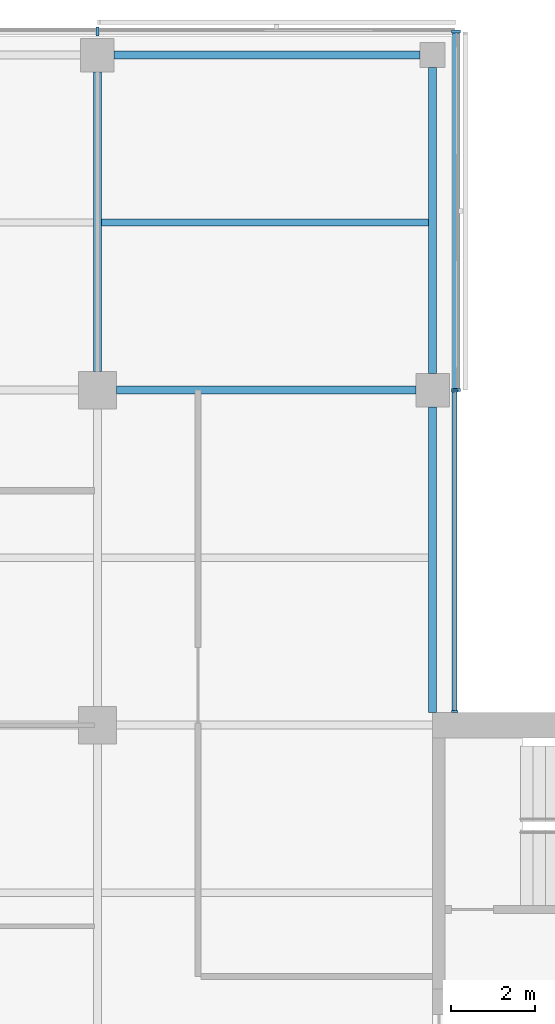
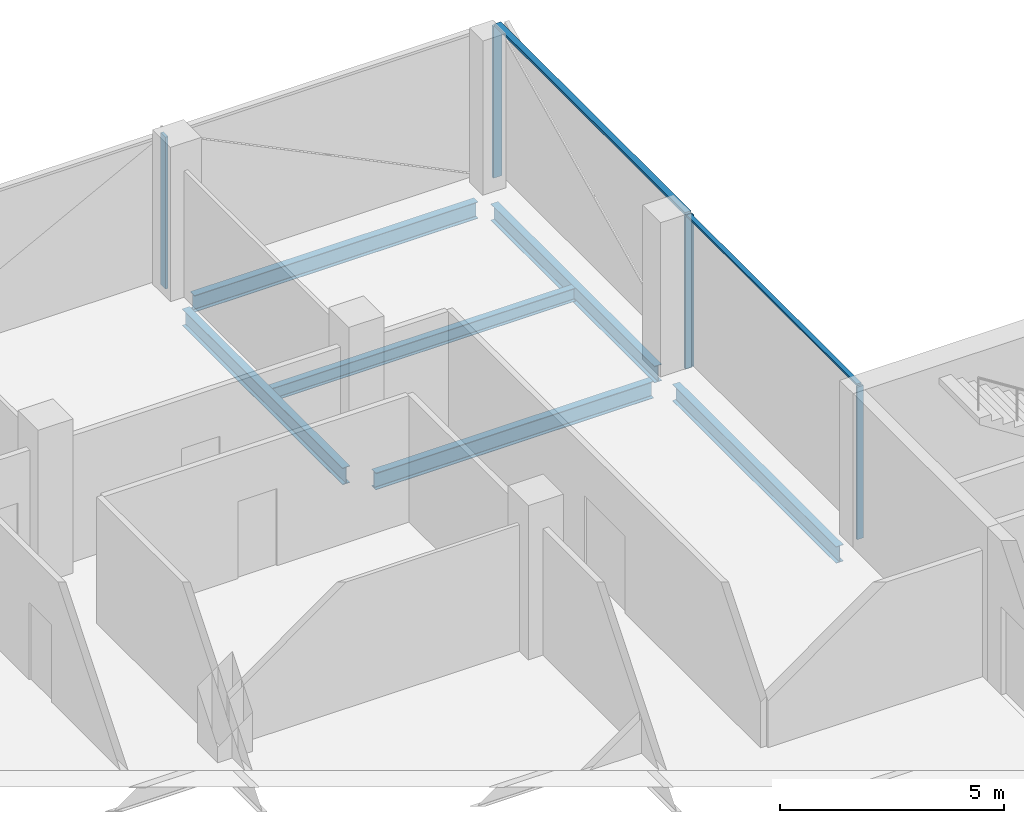
# One storey, part 7 of 15: 7 members, 6 beams, 3 elements without a shape of their own.
"""IFC4 building model written with IfcOpenShell, lengths in metres."""

from ifc_helpers import new_model, si_unit, direction, frame, origin, origin_2d, place, context, subcontext, project, spatial, rectangle, i_section, extrude, material, material_profile, profile_set, type_object, element, aggregate, save


model = new_model("IFC4")

# Units and contexts
model_context = context("Model", 3, precision=1e-05, world=origin(), true_north=direction((0.0, 1.0)))
body_context = subcontext(model_context, "Body", "Model", "MODEL_VIEW")
ifc_project = project(units=[si_unit("LENGTHUNIT", "METRE"), si_unit("AREAUNIT", "SQUARE_METRE"), si_unit("VOLUMEUNIT", "CUBIC_METRE"), si_unit("PLANEANGLEUNIT", "RADIAN"), si_unit("MASSUNIT", "GRAM", prefix="KILO")], contexts=[model_context])

# Site, building, storey
site_placement = place(None, origin())
site = spatial("IfcSite", under=ifc_project, at=site_placement, CompositionType="ELEMENT")
building_placement = place(site_placement, origin())
building = spatial("IfcBuilding", under=site, at=building_placement, Name="Crosswind Convention Tower", CompositionType="ELEMENT")
storey_placement = place(building_placement, frame((0.0, 0.0, 183.10009765625)))
storey = spatial("IfcBuildingStorey", under=building, at=storey_placement, Name="L38", CompositionType="ELEMENT", Elevation=183.10009765625)

# Beams
ifc_material_1 = material(Name="Steel S355", Category="steel")
ifc_material_profile_1 = material_profile(ifc_material_1, i_section(OverallWidth=0.18994140625, OverallDepth=0.45361328125, WebThickness=0.008544921875, FlangeThickness=0.0126953125, FilletRadius=0.01025390625, at=origin_2d()), Name="UB 457x191x67")
ifc_profile_set_1 = profile_set([ifc_material_profile_1], Name="Steel S355")
beam_type_1 = type_object("IfcBeamType", Name="Edge beam UB 457x191x67", PredefinedType="SPANDREL", material=ifc_profile_set_1)
for number, where, z_axis, x_axis, name in (
    (1, (129.39990234375, 128.0, -0.52685546875), (1.0, 0.0, 0.0), (0.0, 1.0, 0.0), "B16 L38 edge beam 10"),
    (2, (137.0, 112.300048828125, -0.52685546875), (0.0, 1.0, 0.0), (-1.0, 0.0, 0.0), "B16 L38 edge beam 13"),
    (3, (137.0, 120.39990234375, -0.52685546875), (0.0, 1.0, 0.0), (-1.0, 0.0, 0.0), "B16 L38 edge beam 14"),
):
    element("IfcBeam", number, at=place(storey_placement, frame(where, z_axis=z_axis, x_axis=x_axis)), inside=storey, type_object=beam_type_1, Name=name, PredefinedType="SPANDREL", context=body_context, shape_type="SweptSolid", body=[
        extrude(i_section(OverallWidth=0.18994140625, OverallDepth=0.45361328125, WebThickness=0.008544921875, FlangeThickness=0.0126953125, FilletRadius=0.01025390625, at=origin_2d()), origin(), (0.0, 0.0, 1.0), 7.300048828125),
    ])
ifc_material_profile_2 = material_profile(ifc_material_1, i_section(OverallWidth=0.1904296875, OverallDepth=0.457275390625, WebThickness=0.009033203125, FlangeThickness=0.014404296875, FilletRadius=0.01025390625, at=origin_2d()), Name="UB 457x191x75")
ifc_profile_set_2 = profile_set([ifc_material_profile_2], Name="Steel S355")
beam_type_2 = type_object("IfcBeamType", Name="Girder UB 457x191x75", PredefinedType="BEAM", material=ifc_profile_set_2)
for number, where, z_axis, x_axis, name in (
    (4, (129.0, 120.449951171875, -0.52880859375), (0.0, 1.0, 0.0), (-1.0, 0.0, 0.0), "B2 L38 girder 22"),
    (5, (129.449951171875, 120.0, -0.52880859375), (1.0, 0.0, 0.0), (0.0, 1.0, 0.0), "B2 L38 girder 24"),
):
    element("IfcBeam", number, at=place(storey_placement, frame(where, z_axis=z_axis, x_axis=x_axis)), inside=storey, type_object=beam_type_2, Name=name, PredefinedType="BEAM", context=body_context, shape_type="SweptSolid", body=[
        extrude(i_section(OverallWidth=0.1904296875, OverallDepth=0.457275390625, WebThickness=0.009033203125, FlangeThickness=0.014404296875, FilletRadius=0.01025390625, at=origin_2d()), origin(), (0.0, 0.0, 1.0), 7.150146484375),
    ])

# Curtain wall, members
ifc_material_2 = material(Name="Aluminium unitised curtain wall", Category="aluminium")
curtain_wall_type_1 = type_object("IfcCurtainWallType", Name="CORE END SLOT WALL 160", PredefinedType="USERDEFINED", material=ifc_material_2)
curtain_wall_1_placement = place(storey_placement, origin())
curtain_wall_1 = element("IfcCurtainWall", 6, at=curtain_wall_1_placement, inside=storey, type_object=curtain_wall_type_1, Name="CW6 L38 N-E.1-1 slot", ObjectType="UNITISED", PredefinedType="USERDEFINED")
ifc_material_3 = material(Name="Aluminium mullion", Category="aluminium")
ifc_material_profile_3 = material_profile(ifc_material_3, rectangle(XDim=0.159912109375, YDim=0.050048828125, at=origin_2d()), Name="AL 160X50")
ifc_profile_set_3 = profile_set([ifc_material_profile_3], Name="Aluminium mullion")
member_type_1 = type_object("IfcMemberType", Name="MULLION 50X160", PredefinedType="MULLION", material=ifc_profile_set_3)
member_1_placement = place(storey_placement, frame((137.530029296875, 112.324951171875, -0.300048828125), z_axis=(0.0, 0.0, 1.0), x_axis=(1.0, 0.0, 0.0)))
member_1 = element("IfcMember", 7, at=member_1_placement, type_object=member_type_1, Name="CW6 mullion 1", PredefinedType="MULLION", context=body_context, shape_type="SweptSolid", body=[
    extrude(rectangle(XDim=0.159912109375, YDim=0.050048828125, at=origin_2d()), origin(), (0.0, 0.0, 1.0), 4.14990234375),
])
member_2_placement = place(storey_placement, frame((137.530029296875, 119.97509765625, -0.300048828125), z_axis=(0.0, 0.0, 1.0), x_axis=(1.0, 0.0, 0.0)))
member_2 = element("IfcMember", 8, at=member_2_placement, type_object=member_type_1, Name="CW6 mullion 2", PredefinedType="MULLION", context=body_context, shape_type="SweptSolid", body=[
    extrude(rectangle(XDim=0.159912109375, YDim=0.050048828125, at=origin_2d()), origin(), (0.0, 0.0, 1.0), 4.14990234375),
])

curtain_wall_type_2 = type_object("IfcCurtainWallType", Name="OFFICE UNITISED WALL 220", PredefinedType="USERDEFINED", material=ifc_material_2)
curtain_wall_2_placement = place(storey_placement, origin())
curtain_wall_2 = element("IfcCurtainWall", 9, at=curtain_wall_2_placement, inside=storey, type_object=curtain_wall_type_2, Name="CW3 L38 N-E 1", ObjectType="UNITISED", PredefinedType="USERDEFINED")
ifc_material_profile_4 = material_profile(ifc_material_3, rectangle(XDim=0.219970703125, YDim=0.070068359375, at=origin_2d()), Name="AL 220X70")
ifc_profile_set_4 = profile_set([ifc_material_profile_4], Name="Aluminium mullion")
member_type_2 = type_object("IfcMemberType", Name="MULLION 70X220", PredefinedType="MULLION", material=ifc_profile_set_4)
member_3_placement = place(storey_placement, frame((137.56005859375, 120.0, -0.300048828125), z_axis=(0.0, 0.0, 1.0), x_axis=(1.0, 0.0, 0.0)))
member_3 = element("IfcMember", 10, at=member_3_placement, type_object=member_type_2, Name="CW3 mullion 1", PredefinedType="MULLION", context=body_context, shape_type="SweptSolid", body=[
    extrude(rectangle(XDim=0.219970703125, YDim=0.070068359375, at=origin_2d()), origin(), (0.0, 0.0, 1.0), 4.1298828125),
])
member_4_placement = place(storey_placement, frame((137.56005859375, 128.56005859375, -0.300048828125), z_axis=(0.0, 0.0, 1.0), x_axis=(1.0, 0.0, 0.0)))
member_4 = element("IfcMember", 11, at=member_4_placement, type_object=member_type_2, Name="CW3 mullion 2", PredefinedType="MULLION", context=body_context, shape_type="SweptSolid", body=[
    extrude(rectangle(XDim=0.219970703125, YDim=0.070068359375, at=origin_2d()), origin(), (0.0, 0.0, 1.0), 4.1298828125),
])

# Curtain wall, member
curtain_wall_3_placement = place(storey_placement, origin())
curtain_wall_3 = element("IfcCurtainWall", 12, at=curtain_wall_3_placement, inside=storey, type_object=curtain_wall_type_2, Name="CW3 L38 N-TIP 1", ObjectType="UNITISED", PredefinedType="USERDEFINED")
member_5_placement = place(storey_placement, frame((129.0, 128.56005859375, -0.300048828125), z_axis=(0.0, 0.0, 1.0), x_axis=(0.0, 1.0, 0.0)))
member_5 = element("IfcMember", 13, at=member_5_placement, type_object=member_type_2, Name="CW3 mullion 2", PredefinedType="MULLION", context=body_context, shape_type="SweptSolid", body=[
    extrude(rectangle(XDim=0.219970703125, YDim=0.070068359375, at=origin_2d()), origin(), (0.0, 0.0, 1.0), 4.1298828125),
])
aggregate(curtain_wall_3, [member_5])

# Beam
ifc_material_profile_5 = material_profile(ifc_material_1, i_section(OverallWidth=0.172119140625, OverallDepth=0.358642578125, WebThickness=0.008056640625, FlangeThickness=0.012939453125, FilletRadius=0.01025390625, at=origin_2d()), Name="UB 356x171x57")
ifc_profile_set_5 = profile_set([ifc_material_profile_5], Name="Steel S355")
beam_type_3 = type_object("IfcBeamType", Name="Secondary beam UB 356x171x57", PredefinedType="JOIST", material=ifc_profile_set_5)
beam_placement = place(storey_placement, frame((129.09521484375, 124.0, -0.4794921875), z_axis=(1.0, 0.0, 0.0), x_axis=(0.0, 1.0, 0.0)))
element("IfcBeam", 14, at=beam_placement, inside=storey, type_object=beam_type_3, Name="B9 L38 secondary beam 21", PredefinedType="JOIST", context=body_context, shape_type="SweptSolid", body=[
    extrude(i_section(OverallWidth=0.172119140625, OverallDepth=0.358642578125, WebThickness=0.008056640625, FlangeThickness=0.012939453125, FilletRadius=0.01025390625, at=origin_2d()), origin(), (0.0, 0.0, 1.0), 7.809814453125),
])

# Member
ifc_material_4 = material(Name="Aluminium transom", Category="aluminium")
ifc_material_profile_6 = material_profile(ifc_material_4, rectangle(XDim=0.1201171875, YDim=0.050048828125, at=origin_2d()), Name="AL 120X50")
ifc_profile_set_6 = profile_set([ifc_material_profile_6], Name="Aluminium transom")
member_type_3 = type_object("IfcMemberType", Name="TRANSOM 50X120", PredefinedType="USERDEFINED", material=ifc_profile_set_6)
member_6_placement = place(storey_placement, frame((137.530029296875, 112.35009765625, 3.875), z_axis=(0.0, 1.0, 0.0), x_axis=(-1.0, 0.0, 0.0)))
member_6 = element("IfcMember", 15, at=member_6_placement, type_object=member_type_3, Name="CW6 transom", ObjectType="TRANSOM", PredefinedType="USERDEFINED", context=body_context, shape_type="SweptSolid", body=[
    extrude(rectangle(XDim=0.1201171875, YDim=0.050048828125, at=origin_2d()), origin(), (0.0, 0.0, 1.0), 7.599853515625),
])

aggregate(curtain_wall_1, [member_1, member_2, member_6])

ifc_material_profile_7 = material_profile(ifc_material_4, rectangle(XDim=0.159912109375, YDim=0.070068359375, at=origin_2d()), Name="AL 160X70")
ifc_profile_set_7 = profile_set([ifc_material_profile_7], Name="Aluminium transom")
member_type_4 = type_object("IfcMemberType", Name="TRANSOM 70X160", PredefinedType="USERDEFINED", material=ifc_profile_set_7)
member_7_placement = place(storey_placement, frame((137.56005859375, 120.034912109375, 3.864990234375), z_axis=(0.0, 1.0, 0.0), x_axis=(-1.0, 0.0, 0.0)))
member_7 = element("IfcMember", 16, at=member_7_placement, type_object=member_type_4, Name="CW3 transom", ObjectType="TRANSOM", PredefinedType="USERDEFINED", context=body_context, shape_type="SweptSolid", body=[
    extrude(rectangle(XDim=0.159912109375, YDim=0.070068359375, at=origin_2d()), origin(), (0.0, 0.0, 1.0), 8.489990234375),
])

aggregate(curtain_wall_2, [member_3, member_4, member_7])

save(model, "model.ifc")
